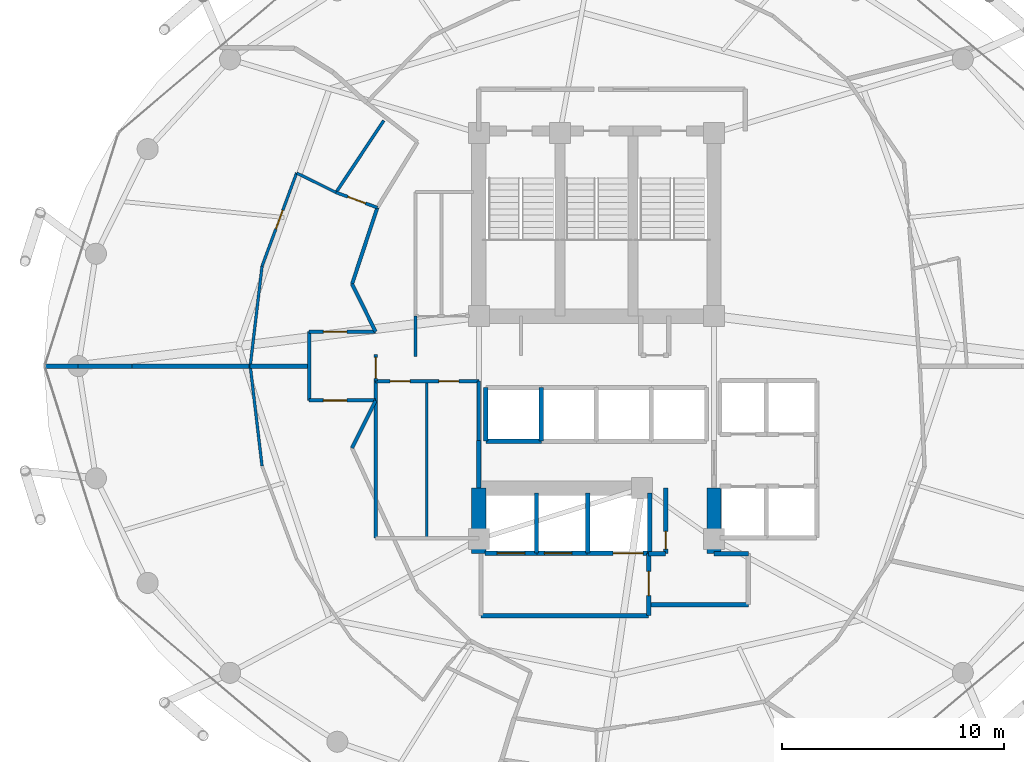
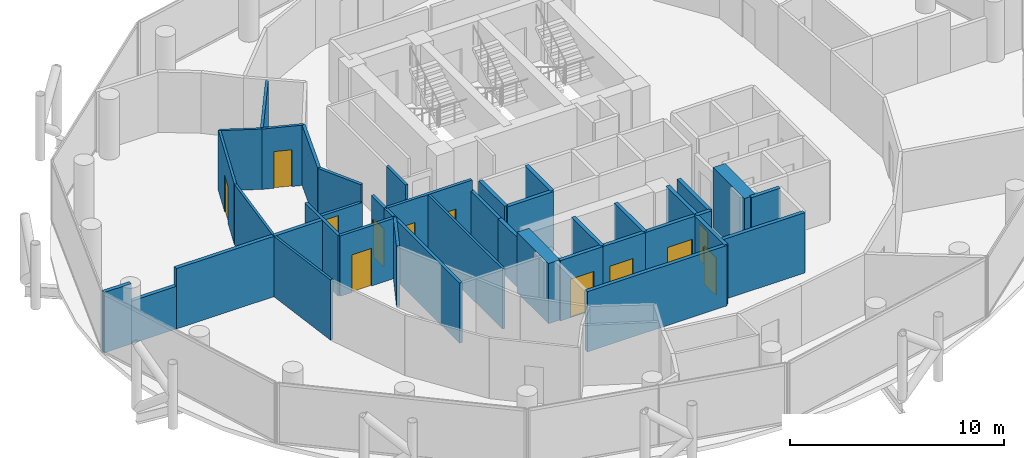
# One storey, part 22 of 26: 40 walls, 12 doors, 12 openings.
"""IFC4 building model written with IfcOpenShell, lengths in metres."""

from ifc_helpers import new_model, si_unit, direction, frame, frame_2d, origin, place, context, subcontext, project, spatial, rectangle, extrude, material, layer, layer_set, type_object, element, fill, save


model = new_model("IFC4")

# Units and contexts
model_context = context("Model", 3, precision=1e-05, world=origin(), true_north=direction((0.0, 1.0)))
body_context = subcontext(model_context, "Body", "Model", "MODEL_VIEW")
ifc_project = project(units=[si_unit("LENGTHUNIT", "METRE"), si_unit("AREAUNIT", "SQUARE_METRE"), si_unit("VOLUMEUNIT", "CUBIC_METRE"), si_unit("PLANEANGLEUNIT", "RADIAN"), si_unit("MASSUNIT", "GRAM", prefix="KILO")], contexts=[model_context])

# Site, building, storey
site_placement = place(None, origin())
site = spatial("IfcSite", under=ifc_project, at=site_placement, CompositionType="ELEMENT")
building_placement = place(site_placement, origin())
building = spatial("IfcBuilding", under=site, at=building_placement, Name="Nuhasar Tower", CompositionType="ELEMENT")
storey_placement = place(building_placement, frame((0.0, 0.0, 177.449951171875)))
storey = spatial("IfcBuildingStorey", under=building, at=storey_placement, Name="L43", CompositionType="ELEMENT", Elevation=177.449951171875)

# Walls
ifc_material_1 = material(Name="Concrete C65/80", Category="concrete")
ifc_layer_1 = layer(ifc_material_1, 0.64990234375)
ifc_layer_set_1 = layer_set([ifc_layer_1], Name="Concrete C65/80")
wall_type_1 = type_object("IfcWallType", Name="WL-CORE-650", PredefinedType="SHEAR", material=ifc_layer_set_1)
for number, where, z_axis, x_axis, name in (
    (1, (33.699951171875, 18.35009765625, 0.0), (0.0, 0.0, 1.0), (0.0, 1.0, 0.0), "L43 Core Shear Wall CW-SW CW-650"),
    (2, (44.300048828125, 18.35009765625, 0.0), (0.0, 0.0, 1.0), (0.0, 1.0, 0.0), "L43 Core Shear Wall CW-SE CW-650"),
):
    element("IfcWall", number, at=place(storey_placement, frame(where, z_axis=z_axis, x_axis=x_axis)), inside=storey, type_object=wall_type_1, Name=name, PredefinedType="SHEAR", context=body_context, shape_type="SweptSolid", body=[
        extrude(rectangle(XDim=2.949951171875, YDim=0.64990234375, at=frame_2d((1.47509765625, 0.0))), origin(), (0.0, 0.0, 1.0), 3.449951171875),
    ])
ifc_material_2 = material(Name="Gypsum Board", Category="gypsum")
ifc_layer_2 = layer(ifc_material_2, 0.159912109375)
ifc_layer_set_2 = layer_set([ifc_layer_2], Name="Gypsum Board")
wall_type_2 = type_object("IfcWallType", Name="WL-CORR-160", PredefinedType="PARTITIONING", material=ifc_layer_set_2)
wall_1_placement = place(storey_placement, frame((29.050048828125, 19.050048828125, 0.0), z_axis=(0.0, 0.0, 1.0), x_axis=(0.0, 1.0, 0.0)))
element("IfcWall", 3, at=wall_1_placement, inside=storey, type_object=wall_type_2, Name="L43 Interior Partition RECL-B1-W", PredefinedType="PARTITIONING", context=body_context, shape_type="SweptSolid", body=[
    extrude(rectangle(XDim=7.070068359375, YDim=0.159912109375, at=frame_2d((3.53515625, 0.0))), origin(), (0.0, 0.0, 1.0), 3.449951171875),
])
wall_2_placement = place(storey_placement, frame((33.699951171875, 23.449951171875, 0.0), z_axis=(0.0, 0.0, 1.0), x_axis=(0.0, 1.0, 0.0)))
element("IfcWall", 4, at=wall_2_placement, inside=storey, type_object=wall_type_2, Name="L43 Interior Partition RECL-B1-E", PredefinedType="PARTITIONING", context=body_context, shape_type="SweptSolid", body=[
    extrude(rectangle(XDim=2.670166015625, YDim=0.159912109375, at=frame_2d((1.3349609375, 0.0))), origin(), (0.0, 0.0, 1.0), 2.8349609375),
])

# Wall, openings, doors
wall_3_placement = place(storey_placement, frame((33.699951171875, 26.1201171875, 0.0), z_axis=(0.0, 0.0, 1.0), x_axis=(-1.0, 0.0, 0.0)))
wall_3 = element("IfcWall", 5, at=wall_3_placement, inside=storey, type_object=wall_type_2, Name="L43 Interior Partition RECL-B1-N", PredefinedType="PARTITIONING", context=body_context, shape_type="SweptSolid", body=[
    extrude(rectangle(XDim=4.64990234375, YDim=0.159912109375, at=frame_2d((2.324951171875, 0.0))), origin(), (0.0, 0.0, 1.0), 3.449951171875),
])
opening_1_placement = place(wall_3_placement, frame((3.10009765625, 0.0, 0.0)))
opening_1 = element("IfcOpeningElement", 6, at=opening_1_placement, cuts=wall_3, Name="Opening DR-01", PredefinedType="OPENING", context=body_context, shape_type="SweptSolid", body=[
    extrude(rectangle(XDim=0.89990234375, YDim=2.10009765625, at=frame_2d((0.449951171875, 1.050048828125))), frame((0.0, 0.08984375, 0.0), z_axis=(0.0, -1.0, 0.0), x_axis=(1.0, 0.0, 0.0)), (0.0, 0.0, 1.0), 0.179931640625),
])
opening_2_placement = place(wall_3_placement, frame((0.89990234375, 0.0, 0.0)))
opening_2 = element("IfcOpeningElement", 7, at=opening_2_placement, cuts=wall_3, Name="Opening DR-01", PredefinedType="OPENING", context=body_context, shape_type="SweptSolid", body=[
    extrude(rectangle(XDim=0.89990234375, YDim=2.10009765625, at=frame_2d((0.449951171875, 1.050048828125))), frame((0.0, 0.08984375, 0.0), z_axis=(0.0, -1.0, 0.0), x_axis=(1.0, 0.0, 0.0)), (0.0, 0.0, 1.0), 0.179931640625),
])
ifc_material_3 = material(Name="Timber Oak", Category="wood")
door_type_1 = type_object("IfcDoorType", Name="DR-ROOM-900", OperationType="NOTDEFINED", PredefinedType="DOOR", material=ifc_material_3)
door_1_placement = place(opening_1_placement, origin())
door_1 = element("IfcDoor", 8, at=door_1_placement, inside=storey, type_object=door_type_1, Name="L43 Housekeeping Door", OperationType="SINGLE_SWING_RIGHT", OverallHeight=2.10009765625, OverallWidth=0.89990234375, PredefinedType="DOOR", context=body_context, shape_type="SweptSolid", body=[
    extrude(rectangle(XDim=0.89990234375, YDim=2.10009765625, at=frame_2d((0.449951171875, 1.050048828125))), frame((0.0, 0.02490234375, 0.0), z_axis=(0.0, -1.0, 0.0), x_axis=(1.0, 0.0, 0.0)), (0.0, 0.0, 1.0), 0.050048828125),
])
fill(opening_1, door_1)
door_2_placement = place(opening_2_placement, origin())
door_2 = element("IfcDoor", 9, at=door_2_placement, inside=storey, type_object=door_type_1, Name="L43 Valet Pantry Door", OperationType="SINGLE_SWING_LEFT", OverallHeight=2.10009765625, OverallWidth=0.89990234375, PredefinedType="DOOR", context=body_context, shape_type="SweptSolid", body=[
    extrude(rectangle(XDim=0.89990234375, YDim=2.10009765625, at=frame_2d((0.449951171875, 1.050048828125))), frame((0.0, 0.02490234375, 0.0), z_axis=(0.0, -1.0, 0.0), x_axis=(1.0, 0.0, 0.0)), (0.0, 0.0, 1.0), 0.050048828125),
])
fill(opening_2, door_2)

# Wall, opening, door
wall_4_placement = place(storey_placement, frame((29.050048828125, 26.1201171875, 0.0), z_axis=(0.0, 0.0, 1.0), x_axis=(0.0, 1.0, 0.0)))
wall_4 = element("IfcWall", 10, at=wall_4_placement, inside=storey, type_object=wall_type_2, Name="L43 Interior Partition WVEST-E", PredefinedType="PARTITIONING", context=body_context, shape_type="SweptSolid", body=[
    extrude(rectangle(XDim=1.199951171875, YDim=0.159912109375, at=frame_2d((0.60009765625, 0.0))), origin(), (0.0, 0.0, 1.0), 3.449951171875),
])
opening_3_placement = place(wall_4_placement, frame((0.125, 0.0, 0.0)))
opening_3 = element("IfcOpeningElement", 11, at=opening_3_placement, cuts=wall_4, Name="Opening DO-01", PredefinedType="OPENING", context=body_context, shape_type="SweptSolid", body=[
    extrude(rectangle(XDim=0.949951171875, YDim=2.14990234375, at=frame_2d((0.47509765625, 1.074951171875))), frame((0.0, 0.08984375, 0.0), z_axis=(0.0, -1.0, 0.0), x_axis=(1.0, 0.0, 0.0)), (0.0, 0.0, 1.0), 0.179931640625),
])
door_type_2 = type_object("IfcDoorType", Name="DR-OFFICE-FD30-950", OperationType="NOTDEFINED", PredefinedType="DOOR", material=ifc_material_3)
door_3_placement = place(opening_3_placement, origin())
door_3 = element("IfcDoor", 12, at=door_3_placement, inside=storey, type_object=door_type_2, Name="L43 West Arrival Foyer Core Door", OperationType="SINGLE_SWING_LEFT", OverallHeight=2.14990234375, OverallWidth=0.949951171875, PredefinedType="DOOR", context=body_context, shape_type="SweptSolid", body=[
    extrude(rectangle(XDim=0.949951171875, YDim=2.14990234375, at=frame_2d((0.47509765625, 1.074951171875))), frame((0.0, 0.02490234375, 0.0), z_axis=(0.0, -1.0, 0.0), x_axis=(1.0, 0.0, 0.0)), (0.0, 0.0, 1.0), 0.050048828125),
])
fill(opening_3, door_3)

# Wall
wall_5_placement = place(storey_placement, frame((29.126953125, 33.93994140625, 0.0), z_axis=(0.0, 0.0, 1.0), x_axis=(-0.313985571683, -0.949427754374, 0.0)))
element("IfcWall", 13, at=wall_5_placement, inside=storey, type_object=wall_type_2, Name="L43 Interior Partition HWEST-CORE-N-20", PredefinedType="PARTITIONING", context=body_context, shape_type="SweptSolid", body=[
    extrude(rectangle(XDim=3.627197265625, YDim=0.159912109375, at=frame_2d((1.8134765625, 0.0))), origin(), (0.0, 0.0, 1.0), 3.449951171875),
])

# Wall, opening, door
wall_6_placement = place(storey_placement, frame((26.050048828125, 28.35009765625, 0.0), z_axis=(0.0, 0.0, 1.0), x_axis=(1.0, 0.0, 0.0)))
wall_6 = element("IfcWall", 14, at=wall_6_placement, inside=storey, type_object=wall_type_2, Name="L43 Interior Partition WVEST-N", PredefinedType="PARTITIONING", context=body_context, shape_type="SweptSolid", body=[
    extrude(rectangle(XDim=3.0, YDim=0.159912109375, at=frame_2d((1.5, 0.0))), origin(), (0.0, 0.0, 1.0), 2.43994140625),
])
opening_4_placement = place(wall_6_placement, frame((0.64990234375, 0.0, 0.0)))
opening_4 = element("IfcOpeningElement", 15, at=opening_4_placement, cuts=wall_6, Name="Opening DU-01", PredefinedType="OPENING", context=body_context, shape_type="SweptSolid", body=[
    extrude(rectangle(XDim=1.050048828125, YDim=2.14990234375, at=frame_2d((0.52490234375, 1.074951171875))), frame((0.0, 0.08984375, 0.0), z_axis=(0.0, -1.0, 0.0), x_axis=(1.0, 0.0, 0.0)), (0.0, 0.0, 1.0), 0.179931640625),
])
door_type_3 = type_object("IfcDoorType", Name="DR-SUITE-FD60-1050", OperationType="NOTDEFINED", PredefinedType="DOOR", material=ifc_material_3)
door_4_placement = place(opening_4_placement, origin())
door_4 = element("IfcDoor", 16, at=door_4_placement, inside=storey, type_object=door_type_3, Name="L43 North-West Sunset Suite Entrance", OperationType="SINGLE_SWING_LEFT", OverallHeight=2.14990234375, OverallWidth=1.050048828125, PredefinedType="DOOR", context=body_context, shape_type="SweptSolid", body=[
    extrude(rectangle(XDim=1.050048828125, YDim=2.14990234375, at=frame_2d((0.52490234375, 1.074951171875))), frame((0.0, 0.02490234375, 0.0), z_axis=(0.0, -1.0, 0.0), x_axis=(1.0, 0.0, 0.0)), (0.0, 0.0, 1.0), 0.050048828125),
])
fill(opening_4, door_4)

wall_7_placement = place(storey_placement, frame((26.050048828125, 25.25, 0.0), z_axis=(0.0, 0.0, 1.0), x_axis=(1.0, 0.0, 0.0)))
wall_7 = element("IfcWall", 17, at=wall_7_placement, inside=storey, type_object=wall_type_2, Name="L43 Interior Partition WVEST-S", PredefinedType="PARTITIONING", context=body_context, shape_type="SweptSolid", body=[
    extrude(rectangle(XDim=3.0, YDim=0.159912109375, at=frame_2d((1.5, 0.0))), origin(), (0.0, 0.0, 1.0), 3.449951171875),
])
opening_5_placement = place(wall_7_placement, frame((0.64990234375, 0.0, 0.0)))
opening_5 = element("IfcOpeningElement", 18, at=opening_5_placement, cuts=wall_7, Name="Opening DU-01", PredefinedType="OPENING", context=body_context, shape_type="SweptSolid", body=[
    extrude(rectangle(XDim=1.050048828125, YDim=2.14990234375, at=frame_2d((0.52490234375, 1.074951171875))), frame((0.0, 0.08984375, 0.0), z_axis=(0.0, -1.0, 0.0), x_axis=(1.0, 0.0, 0.0)), (0.0, 0.0, 1.0), 0.179931640625),
])
door_5_placement = place(opening_5_placement, origin())
door_5 = element("IfcDoor", 19, at=door_5_placement, inside=storey, type_object=door_type_3, Name="L43 South-West Presidential Suite Entrance", OperationType="SINGLE_SWING_LEFT", OverallHeight=2.14990234375, OverallWidth=1.050048828125, PredefinedType="DOOR", context=body_context, shape_type="SweptSolid", body=[
    extrude(rectangle(XDim=1.050048828125, YDim=2.14990234375, at=frame_2d((0.52490234375, 1.074951171875))), frame((0.0, 0.02490234375, 0.0), z_axis=(0.0, -1.0, 0.0), x_axis=(1.0, 0.0, 0.0)), (0.0, 0.0, 1.0), 0.050048828125),
])
fill(opening_5, door_5)

# Walls
wall_8_placement = place(storey_placement, frame((26.050048828125, 25.25, 0.0), z_axis=(0.0, 0.0, 1.0), x_axis=(0.0, 1.0, 0.0)))
element("IfcWall", 20, at=wall_8_placement, inside=storey, type_object=wall_type_2, Name="L43 Interior Partition WVEST-W", PredefinedType="PARTITIONING", context=body_context, shape_type="SweptSolid", body=[
    extrude(rectangle(XDim=3.10009765625, YDim=0.159912109375, at=frame_2d((1.550048828125, 0.0))), origin(), (0.0, 0.0, 1.0), 3.449951171875),
])
for number, where, z_axis, x_axis, name in (
    (21, (27.988037109375, 30.49609375, 0.0), (0.0, 0.0, 1.0), (0.443539160525, -0.896254993337, 0.0), "L43 Interior Partition WVEST-CN"),
    (22, (27.988037109375, 23.10400390625, 0.0), (0.0, 0.0, 1.0), (0.443539160525, 0.896254993337, 0.0), "L43 Interior Partition WVEST-CS"),
):
    element("IfcWall", number, at=place(storey_placement, frame(where, z_axis=z_axis, x_axis=x_axis)), inside=storey, type_object=wall_type_2, Name=name, PredefinedType="PARTITIONING", context=body_context, shape_type="SweptSolid", body=[
        extrude(rectangle(XDim=2.394287109375, YDim=0.159912109375, at=frame_2d((1.197265625, 0.0))), origin(), (0.0, 0.0, 1.0), 3.449951171875),
    ])
ifc_material_4 = material(Name="Concrete C45/55", Category="concrete")
ifc_layer_3 = layer(ifc_material_4, 0.199951171875)
ifc_layer_set_3 = layer_set([ifc_layer_3], Name="Concrete C45/55")
wall_type_3 = type_object("IfcWallType", Name="WL-LOBBY-200", PredefinedType="SOLIDWALL", material=ifc_layer_set_3)
wall_9_placement = place(storey_placement, frame((33.699951171875, 21.300048828125, 0.0), z_axis=(0.0, 0.0, 1.0), x_axis=(0.0, 1.0, 0.0)))
element("IfcWall", 23, at=wall_9_placement, inside=storey, type_object=wall_type_3, Name="L43 Interior Partition LLBH-W", PredefinedType="SOLIDWALL", context=body_context, shape_type="SweptSolid", body=[
    extrude(rectangle(XDim=2.14990234375, YDim=0.199951171875, at=frame_2d((1.074951171875, 0.0))), origin(), (0.0, 0.0, 1.0), 2.8349609375),
])
wall_10_placement = place(storey_placement, frame((33.800048828125, 15.550048828125, 0.0), z_axis=(0.0, 0.0, 1.0), x_axis=(1.0, 0.0, 0.0)))
element("IfcWall", 24, at=wall_10_placement, inside=storey, type_object=wall_type_3, Name="L43 Interior Partition FFL-S", PredefinedType="SOLIDWALL", context=body_context, shape_type="SweptSolid", body=[
    extrude(rectangle(XDim=7.550048828125, YDim=0.199951171875, at=frame_2d((3.77490234375, 0.0))), origin(), (0.0, 0.0, 1.0), 3.449951171875),
])

# Wall, opening, door
wall_11_placement = place(storey_placement, frame((41.35009765625, 15.550048828125, 0.0), z_axis=(0.0, 0.0, 1.0), x_axis=(0.0, 1.0, 0.0)))
wall_11 = element("IfcWall", 25, at=wall_11_placement, inside=storey, type_object=wall_type_3, Name="L43 Interior Partition FFL-E", PredefinedType="SOLIDWALL", context=body_context, shape_type="SweptSolid", body=[
    extrude(rectangle(XDim=2.800048828125, YDim=0.199951171875, at=frame_2d((1.39990234375, 0.0))), origin(), (0.0, 0.0, 1.0), 3.449951171875),
])
opening_6_placement = place(wall_11_placement, frame((0.89990234375, 0.0, 0.0)))
opening_6 = element("IfcOpeningElement", 26, at=opening_6_placement, cuts=wall_11, Name="Opening DS-02", PredefinedType="OPENING", context=body_context, shape_type="SweptSolid", body=[
    extrude(rectangle(XDim=1.10009765625, YDim=2.14990234375, at=frame_2d((0.550048828125, 1.074951171875))), frame((0.0, 0.10986328125, 0.0), z_axis=(0.0, -1.0, 0.0), x_axis=(1.0, 0.0, 0.0)), (0.0, 0.0, 1.0), 0.219970703125),
])
ifc_material_5 = material(Name="Steel S355", Category="steel")
door_type_4 = type_object("IfcDoorType", Name="DR-FFL-FD120-1100", OperationType="NOTDEFINED", PredefinedType="DOOR", material=ifc_material_5)
door_6_placement = place(opening_6_placement, origin())
door_6 = element("IfcDoor", 27, at=door_6_placement, inside=storey, type_object=door_type_4, Name="L43 Firefighting Lobby Door", OperationType="SINGLE_SWING_RIGHT", OverallHeight=2.14990234375, OverallWidth=1.10009765625, PredefinedType="DOOR", context=body_context, shape_type="SweptSolid", body=[
    extrude(rectangle(XDim=1.10009765625, YDim=2.14990234375, at=frame_2d((0.550048828125, 1.074951171875))), frame((0.0, 0.02490234375, 0.0), z_axis=(0.0, -1.0, 0.0), x_axis=(1.0, 0.0, 0.0)), (0.0, 0.0, 1.0), 0.050048828125),
])
fill(opening_6, door_6)

# Walls
wall_12_placement = place(storey_placement, frame((41.35009765625, 16.050048828125, 0.0), z_axis=(0.0, 0.0, 1.0), x_axis=(1.0, 0.0, 0.0)))
element("IfcWall", 28, at=wall_12_placement, inside=storey, type_object=wall_type_3, Name="L43 Interior Partition SVLV-S", PredefinedType="SOLIDWALL", context=body_context, shape_type="SweptSolid", body=[
    extrude(rectangle(XDim=4.5, YDim=0.199951171875, at=frame_2d((2.25, 0.0))), origin(), (0.0, 0.0, 1.0), 3.449951171875),
])
wall_13_placement = place(storey_placement, frame((44.300048828125, 18.35009765625, 0.0), z_axis=(0.0, 0.0, 1.0), x_axis=(1.0, 0.0, 0.0)))
element("IfcWall", 29, at=wall_13_placement, inside=storey, type_object=wall_type_3, Name="L43 Interior Partition SVLV-N", PredefinedType="SOLIDWALL", context=body_context, shape_type="SweptSolid", body=[
    extrude(rectangle(XDim=1.550048828125, YDim=0.199951171875, at=frame_2d((0.77490234375, 0.0))), origin(), (0.0, 0.0, 1.0), 3.449951171875),
])
ifc_layer_4 = layer(ifc_material_2, 0.125)
ifc_layer_set_4 = layer_set([ifc_layer_4], Name="Gypsum Board")
wall_type_4 = type_object("IfcWallType", Name="WL-PART-125", PredefinedType="PARTITIONING", material=ifc_layer_set_4)
wall_14_placement = place(storey_placement, frame((31.35009765625, 19.050048828125, 0.0), z_axis=(0.0, 0.0, 1.0), x_axis=(0.0, 1.0, 0.0)))
element("IfcWall", 30, at=wall_14_placement, inside=storey, type_object=wall_type_4, Name="L43 Interior Partition RECL-B1-V", PredefinedType="PARTITIONING", context=body_context, shape_type="SweptSolid", body=[
    extrude(rectangle(XDim=7.070068359375, YDim=0.125, at=frame_2d((3.53515625, 0.0))), origin(), (0.0, 0.0, 1.0), 3.449951171875),
])
wall_15_placement = place(storey_placement, frame((27.264892578125, 34.625, 0.0), z_axis=(0.0, 0.0, 1.0), x_axis=(-0.896929858707, 0.442172849189, 0.0)))
element("IfcWall", 31, at=wall_15_placement, inside=storey, type_object=wall_type_4, Name="L43 Interior Partition HWS1-S", PredefinedType="PARTITIONING", context=body_context, shape_type="SweptSolid", body=[
    extrude(rectangle(XDim=1.978759765625, YDim=0.125, at=frame_2d((0.9892578125, 0.0))), origin(), (0.0, 0.0, 1.0), 3.449951171875),
])

# Wall, opening, door
wall_16_placement = place(storey_placement, frame((25.489990234375, 35.5, 0.0), z_axis=(0.0, 0.0, 1.0), x_axis=(-0.348031805078, -0.93748272659, 0.0)))
wall_16 = element("IfcWall", 32, at=wall_16_placement, inside=storey, type_object=wall_type_4, Name="L43 Interior Partition HWS1-ARC-20", PredefinedType="PARTITIONING", context=body_context, shape_type="SweptSolid", body=[
    extrude(rectangle(XDim=4.476806640625, YDim=0.125, at=frame_2d((2.23828125, 0.0))), origin(), (0.0, 0.0, 1.0), 3.449951171875),
])
opening_7_placement = place(wall_16_placement, frame((1.7880859375, 0.0, 0.0)))
opening_7 = element("IfcOpeningElement", 33, at=opening_7_placement, cuts=wall_16, Name="Opening DR-01", PredefinedType="OPENING", context=body_context, shape_type="SweptSolid", body=[
    extrude(rectangle(XDim=0.89990234375, YDim=2.10009765625, at=frame_2d((0.449951171875, 1.050048828125))), frame((0.0, 0.072509765625, 0.0), z_axis=(0.0, -1.0, 0.0), x_axis=(1.0, 0.0, 0.0)), (0.0, 0.0, 1.0), 0.14501953125),
])
door_7_placement = place(opening_7_placement, origin())
door_7 = element("IfcDoor", 34, at=door_7_placement, inside=storey, type_object=door_type_1, Name="L43 North-West Sunset Suite Bedroom Door", OperationType="SINGLE_SWING_LEFT", OverallHeight=2.10009765625, OverallWidth=0.89990234375, PredefinedType="DOOR", context=body_context, shape_type="SweptSolid", body=[
    extrude(rectangle(XDim=0.89990234375, YDim=2.10009765625, at=frame_2d((0.449951171875, 1.050048828125))), frame((0.0, 0.02490234375, 0.0), z_axis=(0.0, -1.0, 0.0), x_axis=(1.0, 0.0, 0.0)), (0.0, 0.0, 1.0), 0.050048828125),
])
fill(opening_7, door_7)

# Walls
for number, where, z_axis, x_axis, name in (
    (35, (23.931884765625, 31.302978515625, 0.0), (0.0, 0.0, 1.0), (-0.1173254596, -0.993093518522, 0.0), "L43 Interior Partition HWS1-ARC-22"),
    (36, (23.39990234375, 26.800048828125, 0.0), (0.0, 0.0, 1.0), (0.1173254596, -0.993093518522, 0.0), "L43 Interior Partition HWS2-ARC-24"),
):
    element("IfcWall", number, at=place(storey_placement, frame(where, z_axis=z_axis, x_axis=x_axis)), inside=storey, type_object=wall_type_4, Name=name, PredefinedType="PARTITIONING", context=body_context, shape_type="SweptSolid", body=[
        extrude(rectangle(XDim=4.5341796875, YDim=0.125, at=frame_2d((2.26708984375, 0.0))), origin(), (0.0, 0.0, 1.0), 3.449951171875),
    ])
ifc_layer_5 = layer(ifc_material_4, 0.199951171875)
ifc_layer_set_5 = layer_set([ifc_layer_5], Name="Concrete C45/55")
wall_type_5 = type_object("IfcWallType", Name="WL-SHAFT-200", PredefinedType="SOLIDWALL", material=ifc_layer_set_5)
wall_17_placement = place(storey_placement, frame((34.02001953125, 23.419921875, 0.0), z_axis=(0.0, 0.0, 1.0), x_axis=(1.0, 0.0, 0.0)))
element("IfcWall", 37, at=wall_17_placement, inside=storey, type_object=wall_type_5, Name="L43 Interior Partition SHF-PL-H01-S", PredefinedType="SOLIDWALL", context=body_context, shape_type="SweptSolid", body=[
    extrude(rectangle(XDim=2.5, YDim=0.199951171875, at=frame_2d((1.25, 0.0))), origin(), (0.0, 0.0, 1.0), 3.449951171875),
])
for number, where, z_axis, x_axis, name in (
    (38, (34.02001953125, 23.419921875, 0.0), (0.0, 0.0, 1.0), (0.0, 1.0, 0.0), "L43 Interior Partition SHF-PL-H01-W"),
    (39, (36.510009765625, 23.419921875, 0.0), (0.0, 0.0, 1.0), (0.0, 1.0, 0.0), "L43 Interior Partition SHF-PL-H01-E"),
):
    element("IfcWall", number, at=place(storey_placement, frame(where, z_axis=z_axis, x_axis=x_axis)), inside=storey, type_object=wall_type_5, Name=name, PredefinedType="SOLIDWALL", context=body_context, shape_type="SweptSolid", body=[
        extrude(rectangle(XDim=2.41015625, YDim=0.199951171875, at=frame_2d((1.205078125, 0.0))), origin(), (0.0, 0.0, 1.0), 3.449951171875),
    ])

# Wall, opening, door
wall_18_placement = place(storey_placement, frame((33.969970703125, 18.3701171875, 0.0), z_axis=(0.0, 0.0, 1.0), x_axis=(1.0, 0.0, 0.0)))
wall_18 = element("IfcWall", 40, at=wall_18_placement, inside=storey, type_object=wall_type_5, Name="L43 Interior Partition SHF-FFL-01-S", PredefinedType="SOLIDWALL", context=body_context, shape_type="SweptSolid", body=[
    extrude(rectangle(XDim=2.360107421875, YDim=0.199951171875, at=frame_2d((1.18017578125, 0.0))), origin(), (0.0, 0.0, 1.0), 3.449951171875),
])
opening_8_placement = place(wall_18_placement, frame((0.554931640625, 0.0, 0.0)))
opening_8 = element("IfcOpeningElement", 41, at=opening_8_placement, cuts=wall_18, Name="Opening LD-F01", PredefinedType="OPENING", context=body_context, shape_type="SweptSolid", body=[
    extrude(rectangle(XDim=1.25, YDim=2.199951171875, at=frame_2d((0.625, 1.10009765625))), frame((0.0, 0.10986328125, 0.0), z_axis=(0.0, -1.0, 0.0), x_axis=(1.0, 0.0, 0.0)), (0.0, 0.0, 1.0), 0.219970703125),
])
ifc_material_6 = material(Name="Stainless Steel 316L", Category="steel")
door_type_5 = type_object("IfcDoorType", Name="LD-FFL-1250", OperationType="DOUBLE_DOOR_SLIDING", PredefinedType="DOOR", material=ifc_material_6)
door_8_placement = place(opening_8_placement, origin())
door_8 = element("IfcDoor", 42, at=door_8_placement, inside=storey, type_object=door_type_5, Name="L43 Lift Landing Door FFL-01", OperationType="DOUBLE_DOOR_SLIDING", OverallHeight=2.199951171875, OverallWidth=1.25, PredefinedType="DOOR", context=body_context, shape_type="SweptSolid", body=[
    extrude(rectangle(XDim=1.25, YDim=2.199951171875, at=frame_2d((0.625, 1.10009765625))), frame((0.0, 0.02490234375, 0.0), z_axis=(0.0, -1.0, 0.0), x_axis=(1.0, 0.0, 0.0)), (0.0, 0.0, 1.0), 0.050048828125),
])
fill(opening_8, door_8)

# Wall
wall_19_placement = place(storey_placement, frame((36.300048828125, 18.3701171875, 0.0), z_axis=(0.0, 0.0, 1.0), x_axis=(0.0, 1.0, 0.0)))
element("IfcWall", 43, at=wall_19_placement, inside=storey, type_object=wall_type_5, Name="L43 Interior Partition SHF-FFL-01-E", PredefinedType="SOLIDWALL", context=body_context, shape_type="SweptSolid", body=[
    extrude(rectangle(XDim=2.7099609375, YDim=0.199951171875, at=frame_2d((1.35498046875, 0.0))), origin(), (0.0, 0.0, 1.0), 3.449951171875),
])

# Wall, opening, door
wall_20_placement = place(storey_placement, frame((36.27001953125, 18.3701171875, 0.0), z_axis=(0.0, 0.0, 1.0), x_axis=(1.0, 0.0, 0.0)))
wall_20 = element("IfcWall", 44, at=wall_20_placement, inside=storey, type_object=wall_type_5, Name="L43 Interior Partition SHF-FFL-02-S", PredefinedType="SOLIDWALL", context=body_context, shape_type="SweptSolid", body=[
    extrude(rectangle(XDim=2.35986328125, YDim=0.199951171875, at=frame_2d((1.179931640625, 0.0))), origin(), (0.0, 0.0, 1.0), 3.449951171875),
])
opening_9_placement = place(wall_20_placement, frame((0.3798828125, 0.0, 0.0)))
opening_9 = element("IfcOpeningElement", 45, at=opening_9_placement, cuts=wall_20, Name="Opening LD-F02", PredefinedType="OPENING", context=body_context, shape_type="SweptSolid", body=[
    extrude(rectangle(XDim=1.25, YDim=2.199951171875, at=frame_2d((0.625, 1.10009765625))), frame((0.0, 0.10986328125, 0.0), z_axis=(0.0, -1.0, 0.0), x_axis=(1.0, 0.0, 0.0)), (0.0, 0.0, 1.0), 0.219970703125),
])
door_9_placement = place(opening_9_placement, origin())
door_9 = element("IfcDoor", 46, at=door_9_placement, inside=storey, type_object=door_type_5, Name="L43 Lift Landing Door FFL-02", OperationType="DOUBLE_DOOR_SLIDING", OverallHeight=2.199951171875, OverallWidth=1.25, PredefinedType="DOOR", context=body_context, shape_type="SweptSolid", body=[
    extrude(rectangle(XDim=1.25, YDim=2.199951171875, at=frame_2d((0.625, 1.10009765625))), frame((0.0, 0.02490234375, 0.0), z_axis=(0.0, -1.0, 0.0), x_axis=(1.0, 0.0, 0.0)), (0.0, 0.0, 1.0), 0.050048828125),
])
fill(opening_9, door_9)

# Wall
wall_21_placement = place(storey_placement, frame((38.60009765625, 18.3701171875, 0.0), z_axis=(0.0, 0.0, 1.0), x_axis=(0.0, 1.0, 0.0)))
element("IfcWall", 47, at=wall_21_placement, inside=storey, type_object=wall_type_5, Name="L43 Interior Partition SHF-FFL-02-E", PredefinedType="SOLIDWALL", context=body_context, shape_type="SweptSolid", body=[
    extrude(rectangle(XDim=2.7099609375, YDim=0.199951171875, at=frame_2d((1.35498046875, 0.0))), origin(), (0.0, 0.0, 1.0), 3.449951171875),
])

# Wall, opening, door
wall_22_placement = place(storey_placement, frame((38.570068359375, 18.3701171875, 0.0), z_axis=(0.0, 0.0, 1.0), x_axis=(1.0, 0.0, 0.0)))
wall_22 = element("IfcWall", 48, at=wall_22_placement, inside=storey, type_object=wall_type_5, Name="L43 Interior Partition SHF-SVL-01-S", PredefinedType="SOLIDWALL", context=body_context, shape_type="SweptSolid", body=[
    extrude(rectangle(XDim=2.829833984375, YDim=0.199951171875, at=frame_2d((1.4150390625, 0.0))), origin(), (0.0, 0.0, 1.0), 3.449951171875),
])
opening_10_placement = place(wall_22_placement, frame((1.179931640625, 0.0, 0.0)))
opening_10 = element("IfcOpeningElement", 49, at=opening_10_placement, cuts=wall_22, Name="Opening LD-S01", PredefinedType="OPENING", context=body_context, shape_type="SweptSolid", body=[
    extrude(rectangle(XDim=1.35009765625, YDim=2.179931640625, at=frame_2d((0.675048828125, 1.08984375))), frame((0.0, 0.10986328125, 0.0), z_axis=(0.0, -1.0, 0.0), x_axis=(1.0, 0.0, 0.0)), (0.0, 0.0, 1.0), 0.219970703125),
])
door_type_6 = type_object("IfcDoorType", Name="LD-SVL-1350", OperationType="DOUBLE_DOOR_SLIDING", PredefinedType="DOOR", material=ifc_material_6)
door_10_placement = place(opening_10_placement, origin())
door_10 = element("IfcDoor", 50, at=door_10_placement, inside=storey, type_object=door_type_6, Name="L43 Lift Landing Door SVL-01", OperationType="DOUBLE_DOOR_SLIDING", OverallHeight=2.179931640625, OverallWidth=1.35009765625, PredefinedType="DOOR", context=body_context, shape_type="SweptSolid", body=[
    extrude(rectangle(XDim=1.35009765625, YDim=2.179931640625, at=frame_2d((0.675048828125, 1.08984375))), frame((0.0, 0.02490234375, 0.0), z_axis=(0.0, -1.0, 0.0), x_axis=(1.0, 0.0, 0.0)), (0.0, 0.0, 1.0), 0.050048828125),
])
fill(opening_10, door_10)

# Wall
wall_23_placement = place(storey_placement, frame((41.39990234375, 18.3701171875, 0.0), z_axis=(0.0, 0.0, 1.0), x_axis=(0.0, 1.0, 0.0)))
element("IfcWall", 51, at=wall_23_placement, inside=storey, type_object=wall_type_5, Name="L43 Interior Partition SHF-SVL-01-E", PredefinedType="SOLIDWALL", context=body_context, shape_type="SweptSolid", body=[
    extrude(rectangle(XDim=2.7099609375, YDim=0.199951171875, at=frame_2d((1.35498046875, 0.0))), origin(), (0.0, 0.0, 1.0), 3.449951171875),
])

# Wall, opening, door
wall_24_placement = place(storey_placement, frame((42.1201171875, 18.35009765625, 0.0), z_axis=(0.0, 0.0, 1.0), x_axis=(0.0, 1.0, 0.0)))
wall_24 = element("IfcWall", 52, at=wall_24_placement, inside=storey, type_object=wall_type_5, Name="L43 Interior Partition RSR-E", PredefinedType="SOLIDWALL", context=body_context, shape_type="SweptSolid", body=[
    extrude(rectangle(XDim=2.949951171875, YDim=0.199951171875, at=frame_2d((1.47509765625, 0.0))), origin(), (0.0, 0.0, 1.0), 3.449951171875),
])
opening_11_placement = place(wall_24_placement, frame((0.199951171875, 0.0, 0.0)))
opening_11 = element("IfcOpeningElement", 53, at=opening_11_placement, cuts=wall_24, Name="Opening DM-01", PredefinedType="OPENING", context=body_context, shape_type="SweptSolid", body=[
    extrude(rectangle(XDim=0.800048828125, YDim=2.050048828125, at=frame_2d((0.39990234375, 1.02490234375))), frame((0.0, 0.10986328125, 0.0), z_axis=(0.0, -1.0, 0.0), x_axis=(1.0, 0.0, 0.0)), (0.0, 0.0, 1.0), 0.219970703125),
])
door_type_7 = type_object("IfcDoorType", Name="DR-RISER-FD60-800", OperationType="NOTDEFINED", PredefinedType="DOOR", material=ifc_material_5)
door_11_placement = place(opening_11_placement, origin())
door_11 = element("IfcDoor", 54, at=door_11_placement, inside=storey, type_object=door_type_7, Name="L43 MEP Riser Access Door", OperationType="SINGLE_SWING_LEFT", OverallHeight=2.050048828125, OverallWidth=0.800048828125, PredefinedType="DOOR", context=body_context, shape_type="SweptSolid", body=[
    extrude(rectangle(XDim=0.800048828125, YDim=2.050048828125, at=frame_2d((0.39990234375, 1.02490234375))), frame((0.0, 0.02490234375, 0.0), z_axis=(0.0, -1.0, 0.0), x_axis=(1.0, 0.0, 0.0)), (0.0, 0.0, 1.0), 0.050048828125),
])
fill(opening_11, door_11)

# Walls
wall_25_placement = place(storey_placement, frame((41.35009765625, 18.35009765625, 0.0), z_axis=(0.0, 0.0, 1.0), x_axis=(1.0, 0.0, 0.0)))
element("IfcWall", 55, at=wall_25_placement, inside=storey, type_object=wall_type_5, Name="L43 Interior Partition RSR-S", PredefinedType="SOLIDWALL", context=body_context, shape_type="SweptSolid", body=[
    extrude(rectangle(XDim=0.77001953125, YDim=0.199951171875, at=frame_2d((0.385009765625, 0.0))), origin(), (0.0, 0.0, 1.0), 3.449951171875),
])
ifc_material_7 = material(Name="Concrete C40/50 precast", Category="concrete")
ifc_layer_6 = layer(ifc_material_7, 0.199951171875)
ifc_layer_set_6 = layer_set([ifc_layer_6], Name="Concrete C40/50 precast")
wall_type_6 = type_object("IfcWallType", Name="WL-UNIT-200", PredefinedType="PARTITIONING", material=ifc_layer_set_6)
wall_26_placement = place(storey_placement, frame((26.050048828125, 26.800048828125, 0.0), z_axis=(0.0, 0.0, 1.0), x_axis=(-1.0, 0.0, 0.0)))
element("IfcWall", 56, at=wall_26_placement, inside=storey, type_object=wall_type_6, Name="L43 Interior Partition HWEST-DIV-IN", PredefinedType="PARTITIONING", context=body_context, shape_type="SweptSolid", body=[
    extrude(rectangle(XDim=2.650146484375, YDim=0.199951171875, at=frame_2d((1.3251953125, 0.0))), origin(), (0.0, 0.0, 1.0), 3.449951171875),
])
wall_27_placement = place(storey_placement, frame((23.39990234375, 26.800048828125, 0.0), z_axis=(0.0, 0.0, 1.0), x_axis=(-1.0, 0.0, 0.0)))
element("IfcWall", 57, at=wall_27_placement, inside=storey, type_object=wall_type_6, Name="L43 Interior Partition HWEST-DIV-OUT", PredefinedType="PARTITIONING", context=body_context, shape_type="SweptSolid", body=[
    extrude(rectangle(XDim=5.326904296875, YDim=0.199951171875, at=frame_2d((2.66357421875, 0.0))), origin(), (0.0, 0.0, 1.0), 3.449951171875),
])
wall_28_placement = place(storey_placement, frame((18.072998046875, 26.800048828125, 0.0), z_axis=(0.0, 0.0, 1.0), x_axis=(-1.0, 0.0, 0.0)))
element("IfcWall", 58, at=wall_28_placement, inside=storey, type_object=wall_type_6, Name="L43 Interior Partition HWEST-DIV-OUT", PredefinedType="PARTITIONING", context=body_context, shape_type="SweptSolid", body=[
    extrude(rectangle(XDim=2.43505859375, YDim=0.199951171875, at=frame_2d((1.217529296875, 0.0))), origin(), (0.0, 0.0, 1.0), 2.43994140625),
])
wall_29_placement = place(storey_placement, frame((15.637939453125, 26.800048828125, 0.0), z_axis=(0.0, 0.0, 1.0), x_axis=(-1.0, 0.0, 0.0)))
element("IfcWall", 59, at=wall_29_placement, inside=storey, type_object=wall_type_6, Name="L43 Interior Partition HWEST-DIV-OUT", PredefinedType="PARTITIONING", context=body_context, shape_type="SweptSolid", body=[
    extrude(rectangle(XDim=1.462890625, YDim=0.199951171875, at=frame_2d((0.7314453125, 0.0))), origin(), (0.0, 0.0, 1.0), 3.449951171875),
])
ifc_layer_7 = layer(ifc_material_7, 0.139892578125)
ifc_layer_set_7 = layer_set([ifc_layer_7], Name="Concrete C40/50 precast")
wall_type_7 = type_object("IfcWallType", Name="WL-WET-140", PredefinedType="PARTITIONING", material=ifc_layer_set_7)
wall_30_placement = place(storey_placement, frame((30.85009765625, 27.239990234375, 0.0), z_axis=(0.0, 0.0, 1.0), x_axis=(0.0, 1.0, 0.0)))
element("IfcWall", 60, at=wall_30_placement, inside=storey, type_object=wall_type_7, Name="L43 Interior Partition K2-FOY-W", PredefinedType="PARTITIONING", context=body_context, shape_type="SweptSolid", body=[
    extrude(rectangle(XDim=1.81005859375, YDim=0.139892578125, at=frame_2d((0.905029296875, 0.0))), origin(), (0.0, 0.0, 1.0), 3.449951171875),
])

# Wall, opening, door
wall_31_placement = place(storey_placement, frame((27.264892578125, 34.625, 0.0), z_axis=(0.0, 0.0, 1.0), x_axis=(0.938500583084, -0.345277649945, 0.0)))
wall_31 = element("IfcWall", 61, at=wall_31_placement, inside=storey, type_object=wall_type_7, Name="L43 Interior Partition HBW1-S", PredefinedType="PARTITIONING", context=body_context, shape_type="SweptSolid", body=[
    extrude(rectangle(XDim=1.984130859375, YDim=0.139892578125, at=frame_2d((0.9921875, 0.0))), origin(), (0.0, 0.0, 1.0), 3.449951171875),
])
opening_12_placement = place(wall_31_placement, frame((0.56689453125, 0.0, 0.0)))
opening_12 = element("IfcOpeningElement", 62, at=opening_12_placement, cuts=wall_31, Name="Opening DB-01", PredefinedType="OPENING", context=body_context, shape_type="SweptSolid", body=[
    extrude(rectangle(XDim=0.85009765625, YDim=2.10009765625, at=frame_2d((0.425048828125, 1.050048828125))), frame((0.0, 0.080078125, 0.0), z_axis=(0.0, -1.0, 0.0), x_axis=(1.0, 0.0, 0.0)), (0.0, 0.0, 1.0), 0.159912109375),
])
door_type_8 = type_object("IfcDoorType", Name="DR-BATH-850", OperationType="NOTDEFINED", PredefinedType="DOOR", material=ifc_material_3)
door_12_placement = place(opening_12_placement, origin())
door_12 = element("IfcDoor", 63, at=door_12_placement, inside=storey, type_object=door_type_8, Name="L43 North-West Sunset Suite En-Suite Door", OperationType="SINGLE_SWING_RIGHT", OverallHeight=2.10009765625, OverallWidth=0.85009765625, PredefinedType="DOOR", context=body_context, shape_type="SweptSolid", body=[
    extrude(rectangle(XDim=0.85009765625, YDim=2.10009765625, at=frame_2d((0.425048828125, 1.050048828125))), frame((0.0, 0.02490234375, 0.0), z_axis=(0.0, -1.0, 0.0), x_axis=(1.0, 0.0, 0.0)), (0.0, 0.0, 1.0), 0.050048828125),
])
fill(opening_12, door_12)

# Wall
wall_32_placement = place(storey_placement, frame((29.4189453125, 37.865966796875, 0.0), z_axis=(0.0, 0.0, 1.0), x_axis=(-0.553526949376, -0.832831265212, 0.0)))
element("IfcWall", 64, at=wall_32_placement, inside=storey, type_object=wall_type_7, Name="L43 Interior Partition HBW1-E", PredefinedType="PARTITIONING", context=body_context, shape_type="SweptSolid", body=[
    extrude(rectangle(XDim=3.8916015625, YDim=0.139892578125, at=frame_2d((1.94580078125, 0.0))), origin(), (0.0, 0.0, 1.0), 3.449951171875),
])

save(model, "model.ifc")
